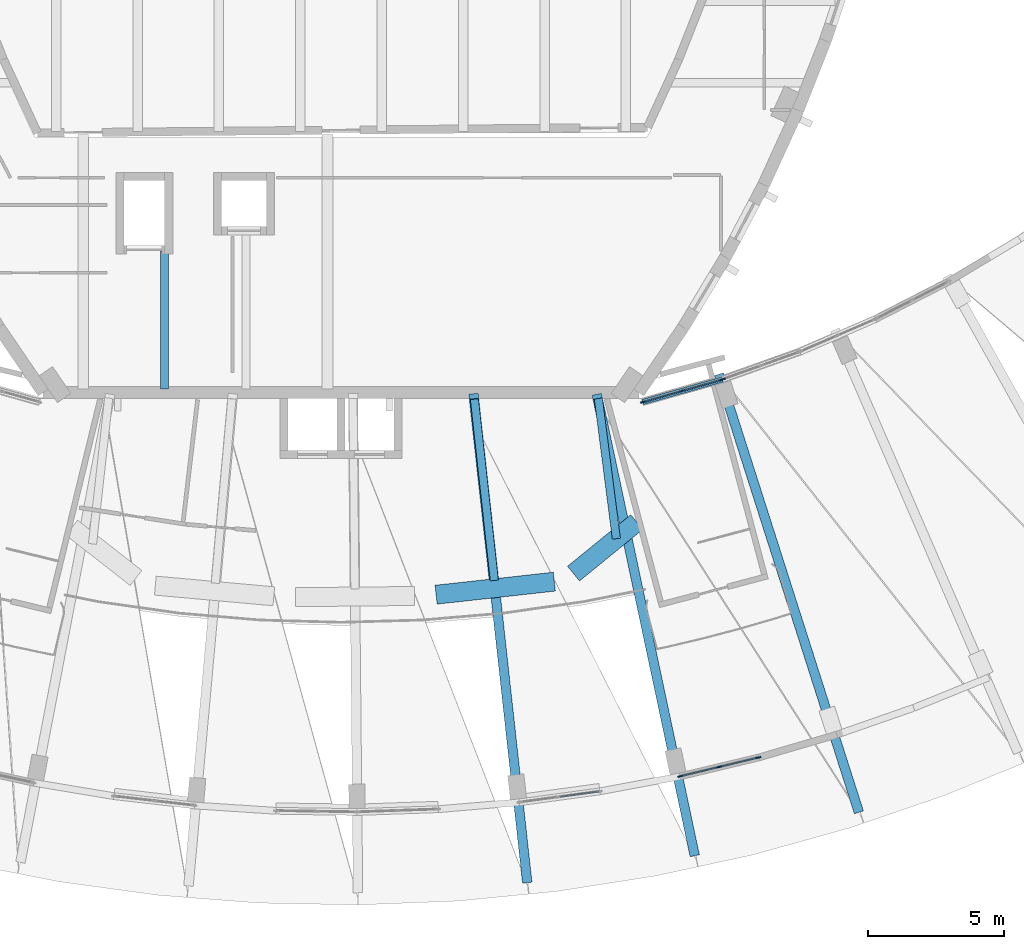
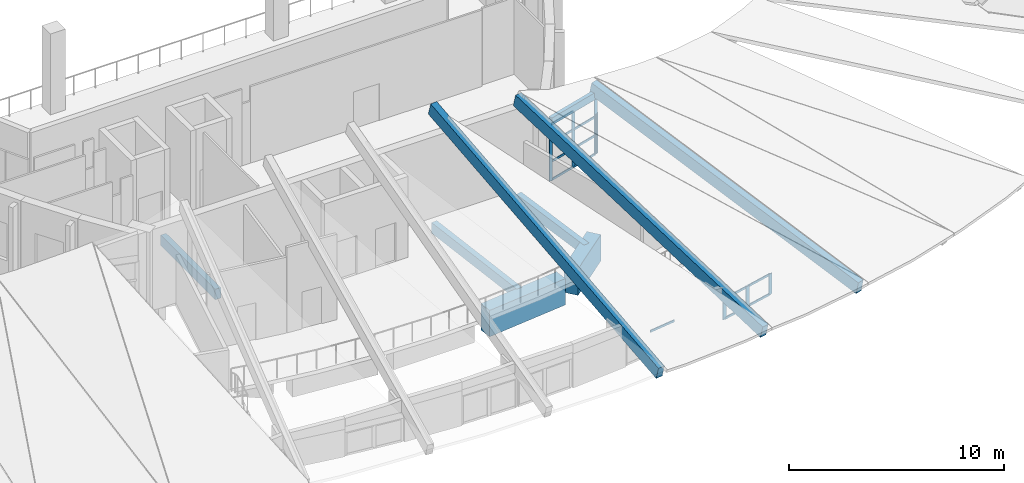
# One storey, part 14 of 56: 20 members, 9 beams, 4 elements without a shape of their own.
"""IFC4 building model written with IfcOpenShell, lengths in metres."""

from ifc_helpers import new_model, si_unit, direction, frame, origin, origin_2d, place, context, subcontext, project, spatial, rectangle, extrude, material, material_profile, profile_set, type_object, element, aggregate, save


model = new_model("IFC4")

# Units and contexts
model_context = context("Model", 3, precision=1e-05, world=origin(), true_north=direction((0.0, 1.0)))
body_context = subcontext(model_context, "Body", "Model", "MODEL_VIEW")
ifc_project = project(units=[si_unit("LENGTHUNIT", "METRE"), si_unit("AREAUNIT", "SQUARE_METRE"), si_unit("VOLUMEUNIT", "CUBIC_METRE"), si_unit("PLANEANGLEUNIT", "RADIAN"), si_unit("MASSUNIT", "GRAM", prefix="KILO")], contexts=[model_context])

# Site, building, storey
site_placement = place(None, origin())
site = spatial("IfcSite", under=ifc_project, at=site_placement, CompositionType="ELEMENT")
building_placement = place(site_placement, origin())
building = spatial("IfcBuilding", under=site, at=building_placement, Name="Tide Square Theatres", CompositionType="ELEMENT")
storey_placement = place(building_placement, frame((0.0, 0.0, 10.199951171875)))
storey = spatial("IfcBuildingStorey", under=building, at=storey_placement, Name="L02", CompositionType="ELEMENT", Elevation=10.199951171875)

# Curtain wall, members
ifc_material_1 = material(Name="Aluminium 6063-T5", Category="aluminium")
curtain_wall_type_1 = type_object("IfcCurtainWallType", Name="Stick system curtain wall 1200 high", PredefinedType="USERDEFINED", material=ifc_material_1)
curtain_wall_1_placement = place(storey_placement, origin())
curtain_wall_1 = element("IfcCurtainWall", 1, at=curtain_wall_1_placement, inside=storey, type_object=curtain_wall_type_1, Name="Foyer outer curtain wall", ObjectType="STICK SYSTEM", PredefinedType="USERDEFINED")
ifc_material_2 = material(Name="Aluminium 6063-T5", Category="aluminium")
ifc_material_profile_1 = material_profile(ifc_material_2, rectangle(XDim=0.050048828125, YDim=0.199951171875, at=origin_2d()))
ifc_profile_set_1 = profile_set([ifc_material_profile_1], Name="Aluminium 6063-T5")
member_type_1 = type_object("IfcMemberType", Name="Aluminium mullion 50 x 200", PredefinedType="MULLION", material=ifc_profile_set_1)
member_1_placement = place(storey_placement, frame((96.509033203125, 9.447021484375, 0.0), z_axis=(0.0, 0.0, 1.0), x_axis=(-0.232910887324, 0.972498081523, 0.0)))
member_1 = element("IfcMember", 2, at=member_1_placement, type_object=member_type_1, Name="CW-07 mullion 1", PredefinedType="MULLION", context=body_context, shape_type="SweptSolid", body=[
    extrude(rectangle(XDim=0.050048828125, YDim=0.199951171875, at=origin_2d()), origin(), (0.0, 0.0, 1.0), 1.171875),
])
member_2_placement = place(storey_placement, frame((97.94140625, 9.7900390625, 0.0), z_axis=(0.0, 0.0, 1.0), x_axis=(-0.232910887324, 0.972498081523, 0.0)))
member_2 = element("IfcMember", 3, at=member_2_placement, type_object=member_type_1, Name="CW-07 mullion 2", PredefinedType="MULLION", context=body_context, shape_type="SweptSolid", body=[
    extrude(rectangle(XDim=0.050048828125, YDim=0.199951171875, at=origin_2d()), origin(), (0.0, 0.0, 1.0), 1.171875),
])
member_3_placement = place(storey_placement, frame((99.3740234375, 10.133056640625, 0.0), z_axis=(0.0, 0.0, 1.0), x_axis=(-0.232910887324, 0.972498081523, 0.0)))
member_3 = element("IfcMember", 4, at=member_3_placement, type_object=member_type_1, Name="CW-07 mullion 3", PredefinedType="MULLION", context=body_context, shape_type="SweptSolid", body=[
    extrude(rectangle(XDim=0.050048828125, YDim=0.199951171875, at=origin_2d()), origin(), (0.0, 0.0, 1.0), 1.171875),
])

# Curtain wall, member
ifc_material_3 = material(Name="Aluminium 6063-T5", Category="aluminium")
curtain_wall_type_2 = type_object("IfcCurtainWallType", Name="Stick system curtain wall 2400 high", PredefinedType="USERDEFINED", material=ifc_material_3)
curtain_wall_2_placement = place(storey_placement, origin())
curtain_wall_2 = element("IfcCurtainWall", 5, at=curtain_wall_2_placement, inside=storey, type_object=curtain_wall_type_2, Name="Foyer inner curtain wall", ObjectType="STICK SYSTEM", PredefinedType="USERDEFINED")
member_4_placement = place(storey_placement, frame((98.0693359375, 24.073974609375, 0.0), z_axis=(0.0, 0.0, 1.0), x_axis=(0.335723260146, -0.941960664039, 0.0)))
member_4 = element("IfcMember", 6, at=member_4_placement, type_object=member_type_1, Name="CW-09 mullion 3", PredefinedType="MULLION", context=body_context, shape_type="SweptSolid", body=[
    extrude(rectangle(XDim=0.050048828125, YDim=0.199951171875, at=origin_2d()), origin(), (0.0, 0.0, 1.0), 2.30615234375),
])
aggregate(curtain_wall_2, [member_4])

# Curtain wall, members
ifc_material_4 = material(Name="Aluminium 6063-T5", Category="aluminium")
curtain_wall_type_3 = type_object("IfcCurtainWallType", Name="Stick system curtain wall 3000 high", PredefinedType="USERDEFINED", material=ifc_material_4)
curtain_wall_3_placement = place(storey_placement, origin())
curtain_wall_3 = element("IfcCurtainWall", 7, at=curtain_wall_3_placement, inside=storey, type_object=curtain_wall_type_3, Name="Foyer inner curtain wall", ObjectType="STICK SYSTEM", PredefinedType="USERDEFINED")
member_5_placement = place(storey_placement, frame((98.021728515625, 24.05859375, 0.0), z_axis=(0.0, 0.0, 1.0), x_axis=(0.272976223163, -0.962020780227, 0.0)))
member_5 = element("IfcMember", 8, at=member_5_placement, type_object=member_type_1, Name="CW-10 mullion 1", PredefinedType="MULLION", context=body_context, shape_type="SweptSolid", body=[
    extrude(rectangle(XDim=0.050048828125, YDim=0.199951171875, at=origin_2d()), origin(), (0.0, 0.0, 1.0), 3.206787109375),
])
member_6_placement = place(storey_placement, frame((96.578125, 23.649169921875, 0.0), z_axis=(0.0, 0.0, 1.0), x_axis=(0.272976223163, -0.962020780227, 0.0)))
member_6 = element("IfcMember", 9, at=member_6_placement, type_object=member_type_1, Name="CW-10 mullion 2", PredefinedType="MULLION", context=body_context, shape_type="SweptSolid", body=[
    extrude(rectangle(XDim=0.050048828125, YDim=0.199951171875, at=origin_2d()), origin(), (0.0, 0.0, 1.0), 3.206787109375),
])
member_7_placement = place(storey_placement, frame((95.134521484375, 23.239501953125, 0.0), z_axis=(0.0, 0.0, 1.0), x_axis=(0.272976223163, -0.962020780227, 0.0)))
member_7 = element("IfcMember", 10, at=member_7_placement, type_object=member_type_1, Name="CW-10 mullion 3", PredefinedType="MULLION", context=body_context, shape_type="SweptSolid", body=[
    extrude(rectangle(XDim=0.050048828125, YDim=0.199951171875, at=origin_2d()), origin(), (0.0, 0.0, 1.0), 3.206787109375),
])

# Curtain wall, member
curtain_wall_4_placement = place(storey_placement, origin())
curtain_wall_4 = element("IfcCurtainWall", 11, at=curtain_wall_4_placement, inside=storey, type_object=curtain_wall_type_1, Name="Foyer outer curtain wall", ObjectType="STICK SYSTEM", PredefinedType="USERDEFINED")
ifc_material_5 = material(Name="Aluminium 6063-T5", Category="aluminium")
ifc_material_profile_2 = material_profile(ifc_material_5, rectangle(XDim=0.050048828125, YDim=0.125, at=origin_2d()))
ifc_profile_set_2 = profile_set([ifc_material_profile_2], Name="Aluminium 6063-T5")
member_type_2 = type_object("IfcMemberType", Name="Aluminium transom 50 x 125", PredefinedType="USERDEFINED", material=ifc_profile_set_2)
member_8_placement = place(storey_placement, frame((92.080322265625, 8.691650390625, 1.30859375), z_axis=(0.990910391038, 0.13452359248, 0.0), x_axis=(-0.13452359248, 0.990910391038, 0.0)))
member_8 = element("IfcMember", 12, at=member_8_placement, type_object=member_type_2, Name="CW-07 transom 2.2", ObjectType="TRANSOM", PredefinedType="USERDEFINED", context=body_context, shape_type="SweptSolid", body=[
    extrude(rectangle(XDim=0.050048828125, YDim=0.125, at=origin_2d()), origin(), (0.0, 0.0, 1.0), 1.4228515625),
])
aggregate(curtain_wall_4, [member_8])

# Member
member_9_placement = place(storey_placement, frame((96.533203125, 9.45263671875, 0.025146484375), z_axis=(0.972486870148, 0.232957694419, 0.0), x_axis=(-0.232957694419, 0.972486870148, 0.0)))
member_9 = element("IfcMember", 13, at=member_9_placement, type_object=member_type_2, Name="CW-07 transom 1.1", ObjectType="TRANSOM", PredefinedType="USERDEFINED", context=body_context, shape_type="SweptSolid", body=[
    extrude(rectangle(XDim=0.050048828125, YDim=0.125, at=origin_2d()), origin(), (0.0, 0.0, 1.0), 1.423095703125),
])

member_10_placement = place(storey_placement, frame((96.533203125, 9.45263671875, 1.146728515625), z_axis=(0.972486870148, 0.232957694419, 0.0), x_axis=(-0.232957694419, 0.972486870148, 0.0)))
member_10 = element("IfcMember", 14, at=member_10_placement, type_object=member_type_2, Name="CW-07 transom 1.2", ObjectType="TRANSOM", PredefinedType="USERDEFINED", context=body_context, shape_type="SweptSolid", body=[
    extrude(rectangle(XDim=0.050048828125, YDim=0.125, at=origin_2d()), origin(), (0.0, 0.0, 1.0), 1.423095703125),
])

member_11_placement = place(storey_placement, frame((97.9658203125, 9.7958984375, 0.025146484375), z_axis=(0.972516421982, 0.232834295101, 0.0), x_axis=(-0.232834295101, 0.972516421982, 0.0)))
member_11 = element("IfcMember", 15, at=member_11_placement, type_object=member_type_2, Name="CW-07 transom 2.1", ObjectType="TRANSOM", PredefinedType="USERDEFINED", context=body_context, shape_type="SweptSolid", body=[
    extrude(rectangle(XDim=0.050048828125, YDim=0.125, at=origin_2d()), origin(), (0.0, 0.0, 1.0), 1.4228515625),
])

member_12_placement = place(storey_placement, frame((97.9658203125, 9.7958984375, 1.146728515625), z_axis=(0.972516421982, 0.232834295101, 0.0), x_axis=(-0.232834295101, 0.972516421982, 0.0)))
member_12 = element("IfcMember", 16, at=member_12_placement, type_object=member_type_2, Name="CW-07 transom 2.2", ObjectType="TRANSOM", PredefinedType="USERDEFINED", context=body_context, shape_type="SweptSolid", body=[
    extrude(rectangle(XDim=0.050048828125, YDim=0.125, at=origin_2d()), origin(), (0.0, 0.0, 1.0), 1.4228515625),
])

aggregate(curtain_wall_1, [member_1, member_2, member_3, member_9, member_10, member_11, member_12])

member_13_placement = place(storey_placement, frame((97.99755859375, 24.0517578125, 0.025146484375), z_axis=(-0.962017765693, -0.272986846738, 0.0), x_axis=(0.272986846738, -0.962017765693, 0.0)))
member_13 = element("IfcMember", 17, at=member_13_placement, type_object=member_type_2, Name="CW-10 transom 1.1", ObjectType="TRANSOM", PredefinedType="USERDEFINED", context=body_context, shape_type="SweptSolid", body=[
    extrude(rectangle(XDim=0.050048828125, YDim=0.125, at=origin_2d()), origin(), (0.0, 0.0, 1.0), 1.45068359375),
])

member_14_placement = place(storey_placement, frame((97.99755859375, 24.0517578125, 1.06884765625), z_axis=(-0.962017765693, -0.272986846738, 0.0), x_axis=(0.272986846738, -0.962017765693, 0.0)))
member_14 = element("IfcMember", 18, at=member_14_placement, type_object=member_type_2, Name="CW-10 transom 1.2", ObjectType="TRANSOM", PredefinedType="USERDEFINED", context=body_context, shape_type="SweptSolid", body=[
    extrude(rectangle(XDim=0.050048828125, YDim=0.125, at=origin_2d()), origin(), (0.0, 0.0, 1.0), 1.45068359375),
])

member_15_placement = place(storey_placement, frame((97.99755859375, 24.0517578125, 2.137939453125), z_axis=(-0.962017765693, -0.272986846738, 0.0), x_axis=(0.272986846738, -0.962017765693, 0.0)))
member_15 = element("IfcMember", 19, at=member_15_placement, type_object=member_type_2, Name="CW-10 transom 1.3", ObjectType="TRANSOM", PredefinedType="USERDEFINED", context=body_context, shape_type="SweptSolid", body=[
    extrude(rectangle(XDim=0.050048828125, YDim=0.125, at=origin_2d()), origin(), (0.0, 0.0, 1.0), 1.45068359375),
])

member_16_placement = place(storey_placement, frame((97.99755859375, 24.0517578125, 3.181884765625), z_axis=(-0.962017765693, -0.272986846738, 0.0), x_axis=(0.272986846738, -0.962017765693, 0.0)))
member_16 = element("IfcMember", 20, at=member_16_placement, type_object=member_type_2, Name="CW-10 transom 1.4", ObjectType="TRANSOM", PredefinedType="USERDEFINED", context=body_context, shape_type="SweptSolid", body=[
    extrude(rectangle(XDim=0.050048828125, YDim=0.125, at=origin_2d()), origin(), (0.0, 0.0, 1.0), 1.45068359375),
])

member_17_placement = place(storey_placement, frame((96.553955078125, 23.642333984375, 0.025146484375), z_axis=(-0.962017765693, -0.272986846738, 0.0), x_axis=(0.272986846738, -0.962017765693, 0.0)))
member_17 = element("IfcMember", 21, at=member_17_placement, type_object=member_type_2, Name="CW-10 transom 2.1", ObjectType="TRANSOM", PredefinedType="USERDEFINED", context=body_context, shape_type="SweptSolid", body=[
    extrude(rectangle(XDim=0.050048828125, YDim=0.125, at=origin_2d()), origin(), (0.0, 0.0, 1.0), 1.45068359375),
])

member_18_placement = place(storey_placement, frame((96.553955078125, 23.642333984375, 1.06884765625), z_axis=(-0.962017765693, -0.272986846738, 0.0), x_axis=(0.272986846738, -0.962017765693, 0.0)))
member_18 = element("IfcMember", 22, at=member_18_placement, type_object=member_type_2, Name="CW-10 transom 2.2", ObjectType="TRANSOM", PredefinedType="USERDEFINED", context=body_context, shape_type="SweptSolid", body=[
    extrude(rectangle(XDim=0.050048828125, YDim=0.125, at=origin_2d()), origin(), (0.0, 0.0, 1.0), 1.45068359375),
])

member_19_placement = place(storey_placement, frame((96.553955078125, 23.642333984375, 2.137939453125), z_axis=(-0.962017765693, -0.272986846738, 0.0), x_axis=(0.272986846738, -0.962017765693, 0.0)))
member_19 = element("IfcMember", 23, at=member_19_placement, type_object=member_type_2, Name="CW-10 transom 2.3", ObjectType="TRANSOM", PredefinedType="USERDEFINED", context=body_context, shape_type="SweptSolid", body=[
    extrude(rectangle(XDim=0.050048828125, YDim=0.125, at=origin_2d()), origin(), (0.0, 0.0, 1.0), 1.45068359375),
])

member_20_placement = place(storey_placement, frame((96.553955078125, 23.642333984375, 3.181884765625), z_axis=(-0.962017765693, -0.272986846738, 0.0), x_axis=(0.272986846738, -0.962017765693, 0.0)))
member_20 = element("IfcMember", 24, at=member_20_placement, type_object=member_type_2, Name="CW-10 transom 2.4", ObjectType="TRANSOM", PredefinedType="USERDEFINED", context=body_context, shape_type="SweptSolid", body=[
    extrude(rectangle(XDim=0.050048828125, YDim=0.125, at=origin_2d()), origin(), (0.0, 0.0, 1.0), 1.45068359375),
])

aggregate(curtain_wall_3, [member_5, member_6, member_7, member_13, member_14, member_15, member_16, member_17, member_18, member_19, member_20])

# Beams
ifc_material_6 = material(Name="Concrete C35", Category="concrete")
ifc_material_profile_3 = material_profile(ifc_material_6, rectangle(XDim=0.199951171875, YDim=0.39990234375, at=origin_2d()))
ifc_profile_set_3 = profile_set([ifc_material_profile_3], Name="Concrete C35")
beam_type_1 = type_object("IfcBeamType", Name="RC beam 200 x 400", PredefinedType="BEAM", material=ifc_profile_set_3)
beam_1_placement = place(storey_placement, frame((98.045654296875, 24.0654296875, 3.40673828125), z_axis=(-0.962032579716, -0.272934636065, 0.0), x_axis=(0.272934636065, -0.962032579716, 0.0)))
element("IfcBeam", 25, at=beam_1_placement, inside=storey, type_object=beam_type_1, Name="Foyer fascia head beam", PredefinedType="BEAM", context=body_context, shape_type="SweptSolid", body=[
    extrude(rectangle(XDim=0.199951171875, YDim=0.39990234375, at=origin_2d()), origin(), (0.0, 0.0, 1.0), 3.051025390625),
])
ifc_material_7 = material(Name="Concrete C35", Category="concrete")
ifc_material_profile_4 = material_profile(ifc_material_7, rectangle(XDim=0.300048828125, YDim=0.60009765625, at=origin_2d()))
ifc_profile_set_4 = profile_set([ifc_material_profile_4], Name="Concrete C35")
beam_type_2 = type_object("IfcBeamType", Name="RC beam 300 x 600", PredefinedType="BEAM", material=ifc_profile_set_4)
beam_2_placement = place(storey_placement, frame((77.5, 23.70751953125, -0.550048828125), z_axis=(0.0, 1.0, 0.0), x_axis=(-1.0, 0.0, 0.0)))
element("IfcBeam", 26, at=beam_2_placement, inside=storey, type_object=beam_type_2, Name="Floor beam", PredefinedType="BEAM", context=body_context, shape_type="SweptSolid", body=[
    extrude(rectangle(XDim=0.300048828125, YDim=0.60009765625, at=origin_2d()), origin(), (0.0, 0.0, 1.0), 5.092529296875),
])
beam_3_placement = place(storey_placement, frame((89.650146484375, 16.659912109375, -0.52001953125), z_axis=(-0.109390733448, 0.993998826677, 0.0), x_axis=(-0.993998826677, -0.109390733448, 0.0)))
element("IfcBeam", 27, at=beam_3_placement, inside=storey, type_object=beam_type_2, Name="Foyer gallery beam", PredefinedType="BEAM", context=body_context, shape_type="SweptSolid", body=[
    extrude(rectangle(XDim=0.300048828125, YDim=0.60009765625, at=origin_2d()), origin(), (0.0, 0.0, 1.0), 6.719970703125),
])
beam_4_placement = place(storey_placement, frame((94.1455078125, 18.198974609375, -0.52001953125), z_axis=(-0.127235247949, 0.991872568266, 0.0), x_axis=(-0.991872568266, -0.127235247949, 0.0)))
element("IfcBeam", 28, at=beam_4_placement, inside=storey, type_object=beam_type_2, Name="Foyer gallery beam", PredefinedType="BEAM", context=body_context, shape_type="SweptSolid", body=[
    extrude(rectangle(XDim=0.300048828125, YDim=0.60009765625, at=origin_2d()), origin(), (0.0, 0.0, 1.0), 5.20947265625),
])
ifc_material_8 = material(Name="Concrete C35", Category="concrete")
ifc_material_profile_5 = material_profile(ifc_material_8, rectangle(XDim=0.699951171875, YDim=1.5, at=origin_2d()))
ifc_profile_set_5 = profile_set([ifc_material_profile_5], Name="Concrete C35")
beam_type_3 = type_object("IfcBeamType", Name="RC beam 700 x 1500", PredefinedType="BEAM", material=ifc_profile_set_5)
beam_5_placement = place(storey_placement, frame((87.502685546875, 16.136474609375, -0.969970703125), z_axis=(0.993993940443, 0.10943512399, 0.0), x_axis=(-0.10943512399, 0.993993940443, 0.0)))
element("IfcBeam", 29, at=beam_5_placement, inside=storey, type_object=beam_type_3, Name="Foyer gallery transfer beam", PredefinedType="BEAM", context=body_context, shape_type="SweptSolid", body=[
    extrude(rectangle(XDim=0.699951171875, YDim=1.5, at=origin_2d()), origin(), (0.0, 0.0, 1.0), 4.3837890625),
])
beam_6_placement = place(storey_placement, frame((92.567626953125, 16.91259765625, -0.969970703125), z_axis=(0.77505664375, 0.631891762076, 0.0), x_axis=(-0.631891762076, 0.77505664375, 0.0)))
element("IfcBeam", 30, at=beam_6_placement, inside=storey, type_object=beam_type_3, Name="Foyer gallery transfer beam", PredefinedType="BEAM", context=body_context, shape_type="SweptSolid", body=[
    extrude(rectangle(XDim=0.699951171875, YDim=1.5, at=origin_2d()), origin(), (0.0, 0.0, 1.0), 3.004638671875),
])
ifc_material_9 = material(Name="Concrete C40", Category="concrete")
ifc_material_profile_6 = material_profile(ifc_material_9, rectangle(XDim=0.35009765625, YDim=0.699951171875, at=origin_2d()))
ifc_profile_set_6 = profile_set([ifc_material_profile_6], Name="Concrete C40")
beam_type_4 = type_object("IfcBeamType", Name="RC foyer roof rib 350 x 700", PredefinedType="BEAM", material=ifc_profile_set_6)
beam_7_placement = place(storey_placement, frame((88.88916015625, 23.449462890625, 6.19482421875), z_axis=(0.105511579241, -0.958634187861, -0.264363008966), x_axis=(0.993997387322, 0.109403811617, 0.0)))
element("IfcBeam", 31, at=beam_7_placement, inside=storey, type_object=beam_type_4, Name="Foyer roof rib 8", PredefinedType="BEAM", context=body_context, shape_type="SweptSolid", body=[
    extrude(rectangle(XDim=0.35009765625, YDim=0.699951171875, at=origin_2d()), origin(), (0.0, 0.0, 1.0), 18.601318359375),
])
beam_8_placement = place(storey_placement, frame((93.439208984375, 23.439208984375, 5.10205078125), z_axis=(0.201814803269, -0.949941108446, -0.238500892379), x_axis=(0.978168832577, 0.207811777756, 0.0)))
element("IfcBeam", 32, at=beam_8_placement, inside=storey, type_object=beam_type_4, Name="Foyer roof rib 9", PredefinedType="BEAM", context=body_context, shape_type="SweptSolid", body=[
    extrude(rectangle(XDim=0.35009765625, YDim=0.699951171875, at=origin_2d()), origin(), (0.0, 0.0, 1.0), 17.728515625),
])
beam_9_placement = place(storey_placement, frame((97.949951171875, 24.194091796875, 3.7607421875), z_axis=(0.297950668486, -0.933111086329, -0.201318403827), x_axis=(0.95261506547, 0.304178462484, 0.0)))
element("IfcBeam", 33, at=beam_9_placement, inside=storey, type_object=beam_type_4, Name="Foyer roof rib 10", PredefinedType="BEAM", context=body_context, shape_type="SweptSolid", body=[
    extrude(rectangle(XDim=0.35009765625, YDim=0.699951171875, at=origin_2d()), origin(), (0.0, 0.0, 1.0), 17.157470703125),
])

save(model, "model.ifc")
